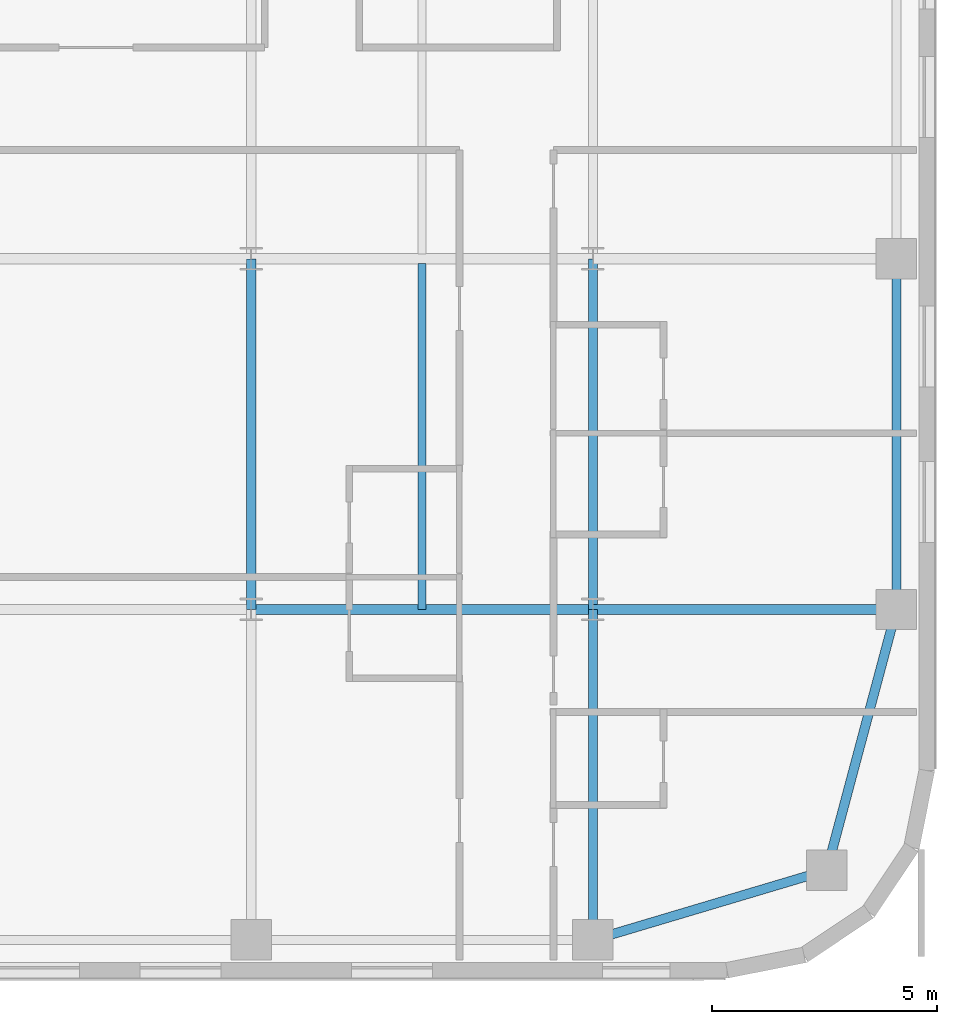
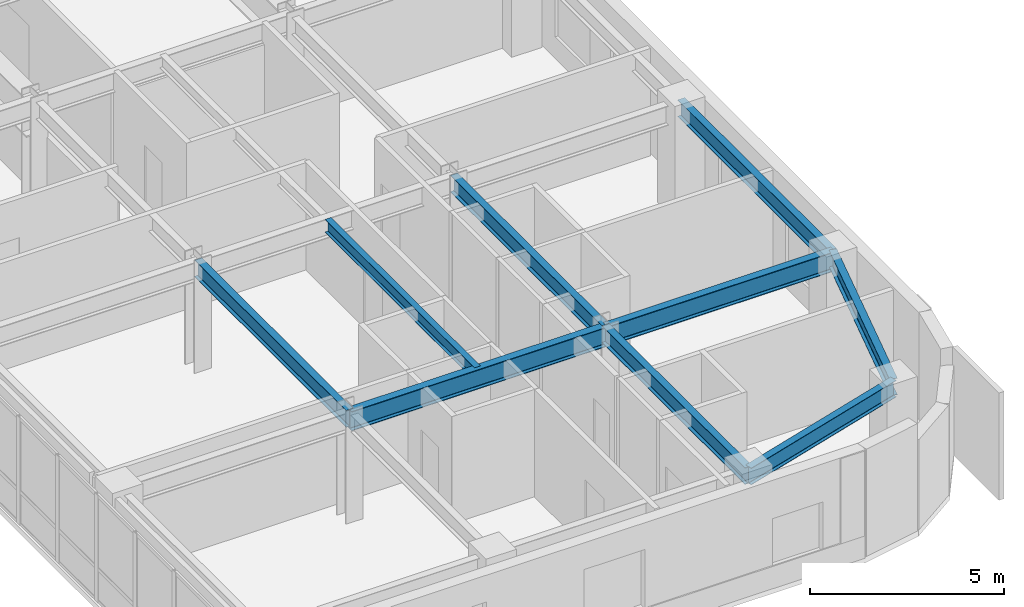
# One storey, part 17 of 37: 9 beams.
"""IFC4 building model written with IfcOpenShell, lengths in metres."""

from ifc_helpers import new_model, si_unit, direction, frame, origin, origin_2d, place, context, subcontext, project, spatial, i_section, extrude, source, transform, mapped, material, material_profile, profile_set, type_object, type_shapes, element, save


model = new_model("IFC4")

# Units and contexts
model_context = context("Model", 3, precision=1e-05, world=origin(), true_north=direction((0.0, 1.0)))
body_context = subcontext(model_context, "Body", "Model", "MODEL_VIEW")
ifc_project = project(units=[si_unit("LENGTHUNIT", "METRE"), si_unit("AREAUNIT", "SQUARE_METRE"), si_unit("VOLUMEUNIT", "CUBIC_METRE"), si_unit("PLANEANGLEUNIT", "RADIAN"), si_unit("MASSUNIT", "GRAM", prefix="KILO")], contexts=[model_context])

# Site, building, storey
site_placement = place(None, origin())
site = spatial("IfcSite", under=ifc_project, at=site_placement, CompositionType="ELEMENT")
building_placement = place(site_placement, origin())
building = spatial("IfcBuilding", under=site, at=building_placement, Name="Tolvann Quenvar Hotel", CompositionType="ELEMENT")
storey_placement = place(building_placement, frame((0.0, 0.0, 104.449951171875)))
storey = spatial("IfcBuildingStorey", under=building, at=storey_placement, Name="L26", CompositionType="ELEMENT", Elevation=104.449951171875)

# Beams
ifc_material = material(Name="Steel Grade 350", Category="steel")
ifc_material_profile_1 = material_profile(ifc_material, i_section(OverallWidth=0.208984375, OverallDepth=0.528076171875, WebThickness=0.009521484375, FlangeThickness=0.01318359375, FilletRadius=0.013916015625, at=origin_2d()), Name="530UB82")
ifc_profile_set_1 = profile_set([ifc_material_profile_1], Name="Steel Grade 350")
beam_type_1 = type_object("IfcBeamType", Name="BM_SPAND_530UB82", PredefinedType="SPANDREL", material=ifc_profile_set_1)
shared_shape_1 = source(origin(), body_context, "Body", "SweptSolid", [
    extrude(i_section(OverallWidth=0.208984375, OverallDepth=0.528076171875, WebThickness=0.009521484375, FlangeThickness=0.01318359375, FilletRadius=0.013916015625, at=origin_2d()), origin(), (0.0, 0.0, 1.0), 5.42626953125),
])
beam_1_placement = place(storey_placement, frame((49.39990234375, 0.85009765625, 3.10595703125), z_axis=(0.958344815522, 0.285613750654, 0.0), x_axis=(-0.285613750654, 0.958344815522, 0.0)))
element("IfcBeam", 1, at=beam_1_placement, inside=storey, type_object=beam_type_1, Name="BM-L26-EW-2-I2-J2", PredefinedType="SPANDREL", context=body_context, shape_type="MappedRepresentation", body=[
    mapped(shared_shape_1, transform((0.0, 0.0, 0.0), x_axis=(1.0, 0.0, 0.0), y_axis=(0.0, 1.0, 0.0), z_axis=(0.0, 0.0, 1.0), scale=1.0)),
])
ifc_material_profile_2 = material_profile(ifc_material, i_section(OverallWidth=0.22900390625, OverallDepth=0.612060546875, WebThickness=0.011962890625, FlangeThickness=0.01953125, FilletRadius=0.013916015625, at=origin_2d()), Name="610UB125")
ifc_profile_set_2 = profile_set([ifc_material_profile_2], Name="Steel Grade 350")
beam_type_2 = type_object("IfcBeamType", Name="BM_GIRD_610UB125", PredefinedType="BEAM", material=ifc_profile_set_2)
shared_shape_2 = source(origin(), body_context, "Body", "SweptSolid", [
    extrude(i_section(OverallWidth=0.22900390625, OverallDepth=0.612060546875, WebThickness=0.011962890625, FlangeThickness=0.01953125, FilletRadius=0.013916015625, at=origin_2d()), origin(), (0.0, 0.0, 1.0), 6.75),
])
beam_2_placement = place(storey_placement, frame((49.39990234375, 8.199951171875, 3.06396484375), z_axis=(1.0, 0.0, 0.0), x_axis=(0.0, 1.0, 0.0)))
element("IfcBeam", 2, at=beam_2_placement, inside=storey, type_object=beam_type_2, Name="BM-L26-EW-3-I3-J3", PredefinedType="BEAM", context=body_context, shape_type="MappedRepresentation", body=[
    mapped(shared_shape_2, transform((0.0, 0.0, 0.0), x_axis=(1.0, 0.0, 0.0), y_axis=(0.0, 1.0, 0.0), z_axis=(0.0, 0.0, 1.0), scale=1.0)),
])
shared_shape_3 = source(origin(), body_context, "Body", "SweptSolid", [
    extrude(i_section(OverallWidth=0.22900390625, OverallDepth=0.612060546875, WebThickness=0.011962890625, FlangeThickness=0.01953125, FilletRadius=0.013916015625, at=origin_2d()), origin(), (0.0, 0.0, 1.0), 7.599853515625),
])
type_shapes(beam_type_2, [shared_shape_2, shared_shape_3])
beam_3_placement = place(storey_placement, frame((41.800048828125, 8.199951171875, 3.06396484375), z_axis=(1.0, 0.0, 0.0), x_axis=(0.0, 1.0, 0.0)))
element("IfcBeam", 3, at=beam_3_placement, inside=storey, type_object=beam_type_2, Name="BM-L26-EW-3-H3-I3", PredefinedType="BEAM", context=body_context, shape_type="MappedRepresentation", body=[
    mapped(shared_shape_3, transform((0.0, 0.0, 0.0), x_axis=(1.0, 0.0, 0.0), y_axis=(0.0, 1.0, 0.0), z_axis=(0.0, 0.0, 1.0), scale=1.0)),
])
shared_shape_4 = source(origin(), body_context, "Body", "SweptSolid", [
    extrude(i_section(OverallWidth=0.208984375, OverallDepth=0.528076171875, WebThickness=0.009521484375, FlangeThickness=0.01318359375, FilletRadius=0.013916015625, at=origin_2d()), origin(), (0.0, 0.0, 1.0), 6.00341796875),
])
beam_4_placement = place(storey_placement, frame((54.60009765625, 2.39990234375, 3.10595703125), z_axis=(0.258148586649, 0.966105225745, 0.0), x_axis=(-0.966105225745, 0.258148586649, 0.0)))
element("IfcBeam", 4, at=beam_4_placement, inside=storey, type_object=beam_type_1, Name="BM-L26-NS-J2-J3", PredefinedType="SPANDREL", context=body_context, shape_type="MappedRepresentation", body=[
    mapped(shared_shape_4, transform((0.0, 0.0, 0.0), x_axis=(1.0, 0.0, 0.0), y_axis=(0.0, 1.0, 0.0), z_axis=(0.0, 0.0, 1.0), scale=1.0)),
])
shared_shape_5 = source(origin(), body_context, "Body", "SweptSolid", [
    extrude(i_section(OverallWidth=0.208984375, OverallDepth=0.528076171875, WebThickness=0.009521484375, FlangeThickness=0.01318359375, FilletRadius=0.013916015625, at=origin_2d()), origin(), (0.0, 0.0, 1.0), 7.800048828125),
])
type_shapes(beam_type_1, [shared_shape_1, shared_shape_4, shared_shape_5])
beam_5_placement = place(storey_placement, frame((56.14990234375, 8.199951171875, 3.10595703125), z_axis=(0.0, 1.0, 0.0), x_axis=(-1.0, 0.0, 0.0)))
element("IfcBeam", 5, at=beam_5_placement, inside=storey, type_object=beam_type_1, Name="BM-L26-NS-J3-J4", PredefinedType="SPANDREL", context=body_context, shape_type="MappedRepresentation", body=[
    mapped(shared_shape_5, transform((0.0, 0.0, 0.0), x_axis=(1.0, 0.0, 0.0), y_axis=(0.0, 1.0, 0.0), z_axis=(0.0, 0.0, 1.0), scale=1.0)),
])
ifc_material_profile_3 = material_profile(ifc_material, i_section(OverallWidth=0.208984375, OverallDepth=0.532958984375, WebThickness=0.01025390625, FlangeThickness=0.015625, FilletRadius=0.013916015625, at=origin_2d()), Name="530UB92")
ifc_profile_set_3 = profile_set([ifc_material_profile_3], Name="Steel Grade 350")
beam_type_3 = type_object("IfcBeamType", Name="BM_GIRD_530UB92", PredefinedType="BEAM", material=ifc_profile_set_3)
shared_shape_6 = source(origin(), body_context, "Body", "SweptSolid", [
    extrude(i_section(OverallWidth=0.208984375, OverallDepth=0.532958984375, WebThickness=0.01025390625, FlangeThickness=0.015625, FilletRadius=0.013916015625, at=origin_2d()), origin(), (0.0, 0.0, 1.0), 7.349853515625),
])
beam_6_placement = place(storey_placement, frame((49.39990234375, 0.85009765625, 3.103515625), z_axis=(0.0, 1.0, 0.0), x_axis=(-1.0, 0.0, 0.0)))
element("IfcBeam", 6, at=beam_6_placement, inside=storey, type_object=beam_type_3, Name="BM-L26-NS-I2-I3", PredefinedType="BEAM", context=body_context, shape_type="MappedRepresentation", body=[
    mapped(shared_shape_6, transform((0.0, 0.0, 0.0), x_axis=(1.0, 0.0, 0.0), y_axis=(0.0, 1.0, 0.0), z_axis=(0.0, 0.0, 1.0), scale=1.0)),
])
shared_shape_7 = source(origin(), body_context, "Body", "SweptSolid", [
    extrude(i_section(OverallWidth=0.208984375, OverallDepth=0.532958984375, WebThickness=0.01025390625, FlangeThickness=0.015625, FilletRadius=0.013916015625, at=origin_2d()), origin(), (0.0, 0.0, 1.0), 7.800048828125),
])
type_shapes(beam_type_3, [shared_shape_6, shared_shape_7])
for number, where, z_axis, x_axis, name in (
    (7, (41.800048828125, 8.199951171875, 3.103515625), (0.0, 1.0, 0.0), (-1.0, 0.0, 0.0), "BM-L26-NS-H3-H4"),
    (8, (49.39990234375, 8.199951171875, 3.103515625), (0.0, 1.0, 0.0), (-1.0, 0.0, 0.0), "BM-L26-NS-I3-I4"),
):
    element("IfcBeam", number, at=place(storey_placement, frame(where, z_axis=z_axis, x_axis=x_axis)), inside=storey, type_object=beam_type_3, Name=name, PredefinedType="BEAM", context=body_context, shape_type="MappedRepresentation", body=[
        mapped(shared_shape_7, transform((0.0, 0.0, 0.0), x_axis=(1.0, 0.0, 0.0), y_axis=(0.0, 1.0, 0.0), z_axis=(0.0, 0.0, 1.0), scale=1.0)),
    ])
ifc_material_profile_4 = material_profile(ifc_material, i_section(OverallWidth=0.177978515625, OverallDepth=0.406005859375, WebThickness=0.0078125, FlangeThickness=0.0126953125, FilletRadius=0.011474609375, at=origin_2d()), Name="410UB60")
ifc_profile_set_4 = profile_set([ifc_material_profile_4], Name="Steel Grade 350")
beam_type_4 = type_object("IfcBeamType", Name="BM_JOIST_410UB60", PredefinedType="JOIST", material=ifc_profile_set_4)
shared_shape_8 = source(origin(), body_context, "Body", "SweptSolid", [
    extrude(i_section(OverallWidth=0.177978515625, OverallDepth=0.406005859375, WebThickness=0.0078125, FlangeThickness=0.0126953125, FilletRadius=0.011474609375, at=origin_2d()), origin(), (0.0, 0.0, 1.0), 7.691650390625),
])
type_shapes(beam_type_4, [shared_shape_8])
beam_7_placement = place(storey_placement, frame((45.60009765625, 8.199951171875, 3.1669921875), z_axis=(0.0, 1.0, 0.0), x_axis=(-1.0, 0.0, 0.0)))
element("IfcBeam", 9, at=beam_7_placement, inside=storey, type_object=beam_type_4, Name="BJ-L26-456-82", PredefinedType="JOIST", context=body_context, shape_type="MappedRepresentation", body=[
    mapped(shared_shape_8, transform((0.0, 0.0, 0.0), x_axis=(1.0, 0.0, 0.0), y_axis=(0.0, 1.0, 0.0), z_axis=(0.0, 0.0, 1.0), scale=1.0)),
])

save(model, "model.ifc")
